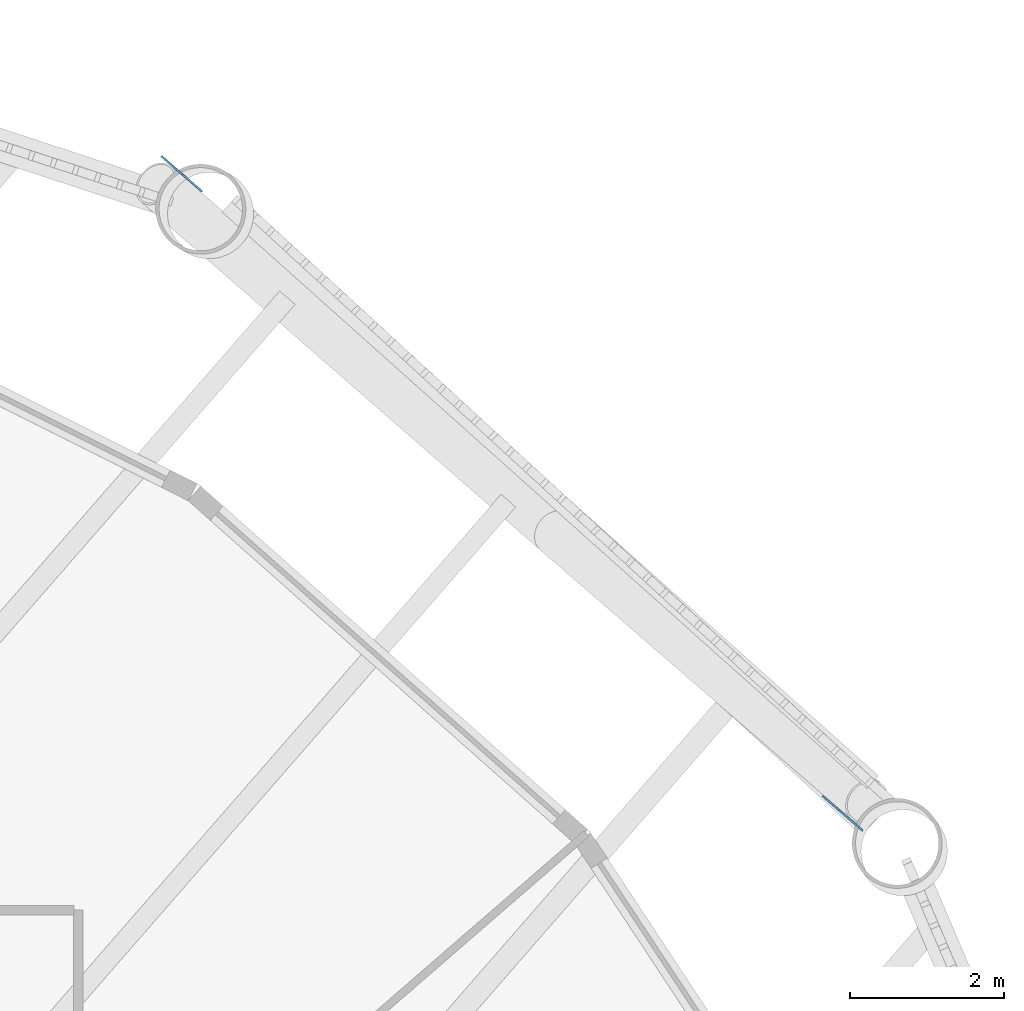
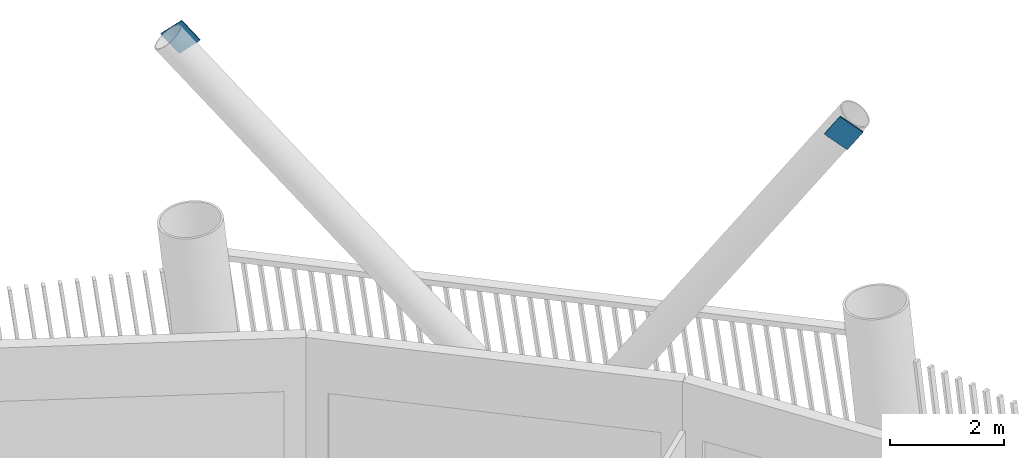
# One storey, part 11 of 21: 2 discrete accessories.
"""IFC4 building model written with IfcOpenShell, lengths in metres."""

from ifc_helpers import new_model, si_unit, direction, frame, origin, origin_2d, place, context, subcontext, project, spatial, rectangle, extrude, material, material_profile, profile_set, type_object, element, save


model = new_model("IFC4")

# Units and contexts
model_context = context("Model", 3, precision=1e-05, world=origin(), true_north=direction((0.0, 1.0)))
body_context = subcontext(model_context, "Body", "Model", "MODEL_VIEW")
ifc_project = project(units=[si_unit("LENGTHUNIT", "METRE"), si_unit("AREAUNIT", "SQUARE_METRE"), si_unit("VOLUMEUNIT", "CUBIC_METRE"), si_unit("PLANEANGLEUNIT", "RADIAN"), si_unit("MASSUNIT", "GRAM", prefix="KILO")], contexts=[model_context])

# Site, building, storey
site_placement = place(None, origin())
site = spatial("IfcSite", under=ifc_project, at=site_placement, CompositionType="ELEMENT")
building_placement = place(site_placement, origin())
building = spatial("IfcBuilding", under=site, at=building_placement, Name="Tarsis Ring Headquarters", CompositionType="ELEMENT")
storey_placement = place(building_placement, frame((0.0, 0.0, 100.60009765625)))
storey = spatial("IfcBuildingStorey", under=building, at=storey_placement, Name="L22", CompositionType="ELEMENT", Elevation=100.60009765625)

# Discrete accessories
ifc_material = material(Name="Structural steel S355", Category="steel")
ifc_material_profile = material_profile(ifc_material, rectangle(XDim=0.02490234375, YDim=0.5, at=origin_2d()), Name="PL 25x500")
ifc_profile_set = profile_set([ifc_material_profile], Name="Structural steel S355")
discrete_accessory_type = type_object("IfcDiscreteAccessoryType", Name="Gusset plate Exo brace 25", PredefinedType="BRACKET", material=ifc_profile_set)
discrete_accessory_1_placement = place(storey_placement, frame((14.21826171875, 25.68603515625, 7.7998046875), z_axis=(0.499449504348, -0.435492627447, -0.748930146305), x_axis=(0.657199600118, 0.75371658175, 0.0)))
element("IfcDiscreteAccessory", 1, at=discrete_accessory_1_placement, inside=storey, type_object=discrete_accessory_type, Name="Gusset plate GP5", PredefinedType="BRACKET", context=body_context, shape_type="SweptSolid", body=[
    extrude(rectangle(XDim=0.02490234375, YDim=0.5, at=origin_2d()), origin(), (0.0, 0.0, 1.0), 0.5),
])
discrete_accessory_2_placement = place(storey_placement, frame((23.04541015625, 17.169921875, 7.7998046875), z_axis=(-0.427411922008, 0.370749312919, -0.824538656399), x_axis=(-0.655259151233, -0.755404159854, 0.0)))
element("IfcDiscreteAccessory", 2, at=discrete_accessory_2_placement, inside=storey, type_object=discrete_accessory_type, Name="Gusset plate GP5", PredefinedType="BRACKET", context=body_context, shape_type="SweptSolid", body=[
    extrude(rectangle(XDim=0.02490234375, YDim=0.5, at=origin_2d()), origin(), (0.0, 0.0, 1.0), 0.499755859375),
])

save(model, "model.ifc")
